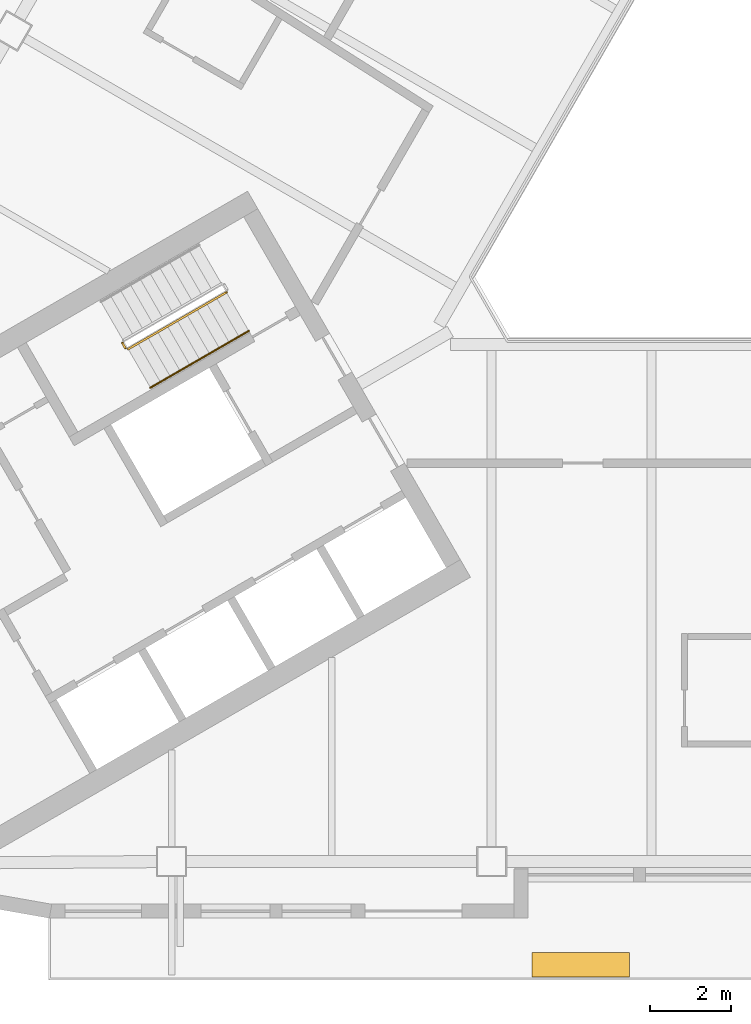
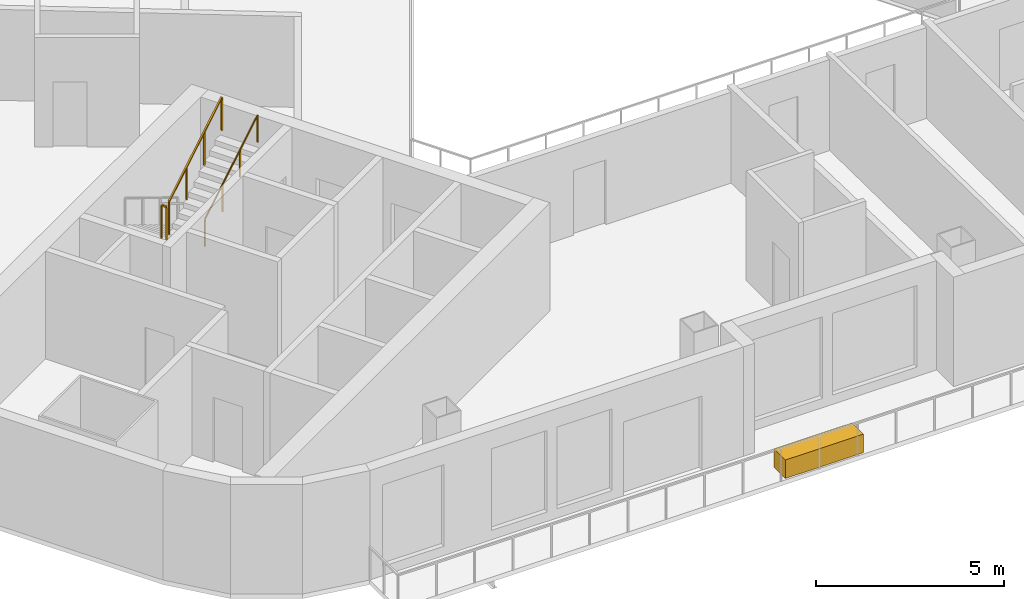
# One storey, part 8 of 13: 3 railings, 1 covering.
"""IFC4 building model written with IfcOpenShell, lengths in metres."""

from ifc_helpers import new_model, si_unit, direction, frame, origin, origin_2d, place, context, subcontext, project, spatial, rectangle, circle, extrude, material, type_object, element, save


model = new_model("IFC4")

# Units and contexts
model_context = context("Model", 3, precision=1e-05, world=origin(), true_north=direction((0.0, 1.0)))
body_context = subcontext(model_context, "Body", "Model", "MODEL_VIEW")
ifc_project = project(units=[si_unit("LENGTHUNIT", "METRE"), si_unit("AREAUNIT", "SQUARE_METRE"), si_unit("VOLUMEUNIT", "CUBIC_METRE"), si_unit("PLANEANGLEUNIT", "RADIAN"), si_unit("MASSUNIT", "GRAM", prefix="KILO")], contexts=[model_context])

# Site, building, storey
site_placement = place(None, origin())
site = spatial("IfcSite", under=ifc_project, at=site_placement, CompositionType="ELEMENT")
building_placement = place(site_placement, origin())
building = spatial("IfcBuilding", under=site, at=building_placement, Name="Apuvela Tower Hotel", CompositionType="ELEMENT")
storey_placement = place(building_placement, frame((0.0, 0.0, 198.39990234375)))
storey = spatial("IfcBuildingStorey", under=building, at=storey_placement, Name="L48", CompositionType="ELEMENT", Elevation=198.39990234375)

# Railings
ifc_material_1 = material(Name="Steel S275 balustrade", Category="steel")
railing_type_1 = type_object("IfcRailingType", Name="COR-GUARD-1100", PredefinedType="GUARDRAIL", material=ifc_material_1)
railing_1_placement = place(storey_placement, frame((-17.01220703125, -5.43408203125, 1.85009765625)))
element("IfcRailing", 1, at=railing_1_placement, inside=storey, type_object=railing_type_1, Name="L48 ST2 stair guard 2", PredefinedType="GUARDRAIL", context=body_context, shape_type="SweptSolid", body=[
    extrude(rectangle(XDim=0.048095703125, YDim=0.048095703125, at=origin_2d()), frame((0.0, 0.0, 1.076171875), z_axis=(0.499816412211, -0.866131372301, 0.0), x_axis=(0.866131372301, 0.499816412211, 0.0)), (0.0, 0.0, 1.0), 0.14990234375),
    extrude(rectangle(XDim=0.0419921875, YDim=0.0419921875, at=origin_2d()), origin(), (0.0, 0.0, 1.0), 1.052001953125),
    extrude(rectangle(XDim=0.0419921875, YDim=0.0419921875, at=origin_2d()), frame((0.074951171875, -0.1298828125, 0.0)), (0.0, 0.0, 1.0), 1.052001953125),
])
railing_2_placement = place(storey_placement, frame((-16.868896484375, -5.582275390625, 2.018310546875)))
element("IfcRailing", 2, at=railing_2_placement, inside=storey, type_object=railing_type_1, Name="L48 ST2 stair guard 3", PredefinedType="GUARDRAIL", context=body_context, shape_type="SweptSolid", body=[
    extrude(rectangle(XDim=0.048095703125, YDim=0.048095703125, at=origin_2d()), frame((0.0, 0.0, 1.076171875), z_axis=(0.742390482028, 0.42860119049, 0.514934356695), x_axis=(-0.49998411664, 0.866034573852, 0.0)), (0.0, 0.0, 1.0), 3.26611328125),
    extrude(rectangle(XDim=0.0419921875, YDim=0.0419921875, at=origin_2d()), origin(), (0.0, 0.0, 1.0), 1.052001953125),
    extrude(rectangle(XDim=0.0419921875, YDim=0.0419921875, at=origin_2d()), frame((0.808349609375, 0.466552734375, 0.560546875)), (0.0, 0.0, 1.0), 1.052001953125),
    extrude(rectangle(XDim=0.0419921875, YDim=0.0419921875, at=origin_2d()), frame((1.616455078125, 0.933349609375, 1.121337890625)), (0.0, 0.0, 1.0), 1.052001953125),
    extrude(rectangle(XDim=0.0419921875, YDim=0.0419921875, at=origin_2d()), frame((2.4248046875, 1.39990234375, 1.681884765625)), (0.0, 0.0, 1.0), 1.052001953125),
])
ifc_material_2 = material(Name="Stainless steel 316 handrail", Category="steel")
railing_type_2 = type_object("IfcRailingType", Name="COR-HANDRAIL-900", PredefinedType="HANDRAIL", material=ifc_material_2)
railing_3_placement = place(storey_placement, frame((-16.31884765625, -6.534912109375, 2.018310546875)))
element("IfcRailing", 3, at=railing_3_placement, inside=storey, type_object=railing_type_2, Name="L48 ST2 stair handrail 2", PredefinedType="HANDRAIL", context=body_context, shape_type="SweptSolid", body=[
    extrude(circle(Radius=0.02392578125, at=origin_2d()), frame((0.0, 0.0, 0.8759765625), z_axis=(0.742390482028, 0.42860119049, 0.514934356695), x_axis=(-0.49998411664, 0.866034573852, 0.0)), (0.0, 0.0, 1.0), 3.26611328125),
    extrude(rectangle(XDim=0.0419921875, YDim=0.0419921875, at=origin_2d()), origin(), (0.0, 0.0, 1.0), 0.851806640625),
    extrude(rectangle(XDim=0.0419921875, YDim=0.0419921875, at=origin_2d()), frame((0.808349609375, 0.466552734375, 0.560546875)), (0.0, 0.0, 1.0), 0.851806640625),
    extrude(rectangle(XDim=0.0419921875, YDim=0.0419921875, at=origin_2d()), frame((1.616455078125, 0.933349609375, 1.121337890625)), (0.0, 0.0, 1.0), 0.851806640625),
    extrude(rectangle(XDim=0.0419921875, YDim=0.0419921875, at=origin_2d()), frame((2.4248046875, 1.39990234375, 1.681884765625)), (0.0, 0.0, 1.0), 0.851806640625),
])

# Covering
ifc_material_3 = material(Name="Planting substrate and soil, planted")
covering_type = type_object("IfcCoveringType", Name="ENV-PLANTER-2400x600", PredefinedType="USERDEFINED", material=ifc_material_3)
covering_placement = place(storey_placement, frame((-5.69970703125, -20.780029296875, 0.0), z_axis=(0.0, 0.0, 1.0), x_axis=(1.0, 0.0, 0.0)))
element("IfcCovering", 4, at=covering_placement, inside=storey, type_object=covering_type, Name="Planter S1", ObjectType="PLANTER", PredefinedType="USERDEFINED", context=body_context, shape_type="SweptSolid", body=[
    extrude(rectangle(XDim=2.39990234375, YDim=0.60009765625, at=origin_2d()), origin(), (0.0, 0.0, 1.0), 0.60009765625),
])

save(model, "model.ifc")
